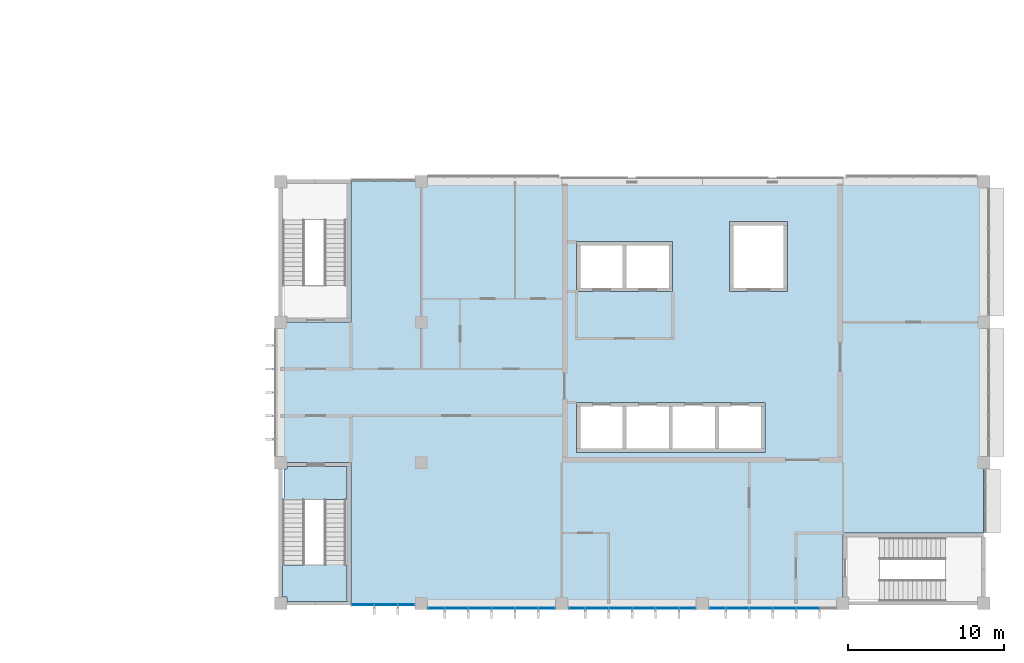
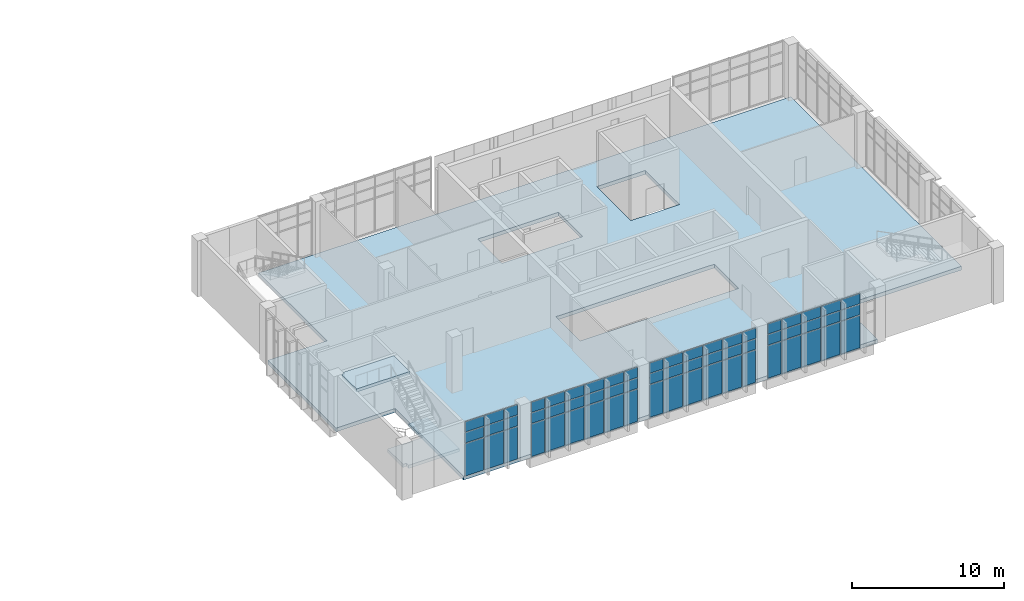
# One storey, part 27 of 43: 60 plates, 3 slabs, 5 elements without a shape of their own.
"""IFC4 building model written with IfcOpenShell, lengths in metres."""

from ifc_helpers import new_model, si_unit, direction, frame, origin, origin_2d, place, context, subcontext, project, spatial, polyline, rectangle, outline, extrude, material, layer, layer_set, type_object, element, aggregate, save


model = new_model("IFC4")

# Units and contexts
model_context = context("Model", 3, precision=1e-05, world=origin(), true_north=direction((0.0, 1.0)))
body_context = subcontext(model_context, "Body", "Model", "MODEL_VIEW")
ifc_project = project(units=[si_unit("LENGTHUNIT", "METRE"), si_unit("AREAUNIT", "SQUARE_METRE"), si_unit("VOLUMEUNIT", "CUBIC_METRE"), si_unit("PLANEANGLEUNIT", "RADIAN"), si_unit("MASSUNIT", "GRAM", prefix="KILO")], contexts=[model_context])

# Site, building, storey
site_placement = place(None, origin())
site = spatial("IfcSite", under=ifc_project, at=site_placement, CompositionType="ELEMENT")
building_placement = place(site_placement, origin())
building = spatial("IfcBuilding", under=site, at=building_placement, Name="Guidao Yard Department Store", CompositionType="ELEMENT")
storey_placement = place(building_placement, frame((0.0, 0.0, 28.5)))
storey = spatial("IfcBuildingStorey", under=building, at=storey_placement, Name="L06", CompositionType="ELEMENT", Elevation=28.5)

# Slab
ifc_material_1 = material(Name="Concrete C35", Category="concrete")
ifc_layer_1 = layer(ifc_material_1, 0.300048828125)
ifc_layer_set_1 = layer_set([ifc_layer_1], Name="Flat slab 300 C35")
slab_type_1 = type_object("IfcSlabType", Name="Flat slab 300 C35", PredefinedType="FLOOR", material=ifc_layer_set_1)
slab_1_placement = place(storey_placement, frame((0.0, 0.0, -0.300048828125)))
element("IfcSlab", 1, at=slab_1_placement, inside=storey, type_object=slab_type_1, Name="Slab L06-O", PredefinedType="FLOOR", context=body_context, shape_type="SweptSolid", body=[
    extrude(outline(polyline([(171.0, 4.5), (162.0, 4.5), (162.0, 0.0), (130.5, 0.0), (130.5, 9.0), (126.0, 9.0), (126.0, 18.0), (130.5, 18.0), (130.5, 27.0), (171.0, 27.0), (171.0, 4.5)]), holes=[polyline([(148.14990234375, 9.64990234375), (150.85009765625, 9.64990234375), (151.10009765625, 9.64990234375), (153.800048828125, 9.64990234375), (154.050048828125, 9.64990234375), (157.0, 9.64990234375), (157.0, 12.85009765625), (154.050048828125, 12.85009765625), (153.800048828125, 12.85009765625), (151.10009765625, 12.85009765625), (150.85009765625, 12.85009765625), (148.14990234375, 12.85009765625), (147.89990234375, 12.85009765625), (144.949951171875, 12.85009765625), (144.949951171875, 9.64990234375), (147.89990234375, 9.64990234375), (148.14990234375, 9.64990234375)]), polyline([(147.89990234375, 19.949951171875), (148.14990234375, 19.949951171875), (151.10009765625, 19.949951171875), (151.10009765625, 23.14990234375), (148.14990234375, 23.14990234375), (147.89990234375, 23.14990234375), (144.949951171875, 23.14990234375), (144.949951171875, 19.949951171875), (147.89990234375, 19.949951171875)]), polyline([(158.449951171875, 19.949951171875), (158.449951171875, 24.449951171875), (154.75, 24.449951171875), (154.75, 19.949951171875), (158.449951171875, 19.949951171875)])]), origin(), (0.0, 0.0, 1.0), 0.300048828125),
])

# Curtain wall, plates
ifc_material_2 = material(Name="Aluminium and glass", Category="aluminium")
ifc_layer_2 = layer(ifc_material_2, 0.159912109375)
ifc_layer_set_2 = layer_set([ifc_layer_2], Name="Unitised curtain wall CW4 1500 module")
curtain_wall_type = type_object("IfcCurtainWallType", Name="Unitised curtain wall CW4 1500 module", PredefinedType="NOTDEFINED", material=ifc_layer_set_2)
curtain_wall_1_placement = place(storey_placement, origin())
curtain_wall_1 = element("IfcCurtainWall", 2, at=curtain_wall_1_placement, inside=storey, type_object=curtain_wall_type, Name="Unitised curtain wall", PredefinedType="NOTDEFINED")
ifc_material_3 = material(Name="Aluminium 6063-T5 faced insulated spandrel", Category="aluminium")
ifc_layer_3 = layer(ifc_material_3, 0.06005859375)
ifc_layer_set_3 = layer_set([ifc_layer_3], Name="Spandrel panel SP1 insulated opaque")
plate_type_1 = type_object("IfcPlateType", Name="Spandrel panel SP1 insulated opaque", PredefinedType="CURTAIN_PANEL", material=ifc_layer_set_3)
plate_1_placement = place(storey_placement, frame((131.264892578125, -0.10009765625, 3.6298828125), z_axis=(0.0, 0.0, 1.0), x_axis=(-1.0, 0.0, 0.0)))
plate_1 = element("IfcPlate", 3, at=plate_1_placement, type_object=plate_type_1, Name="CW-OW-L06-01 panel 1.3", PredefinedType="CURTAIN_PANEL", context=body_context, shape_type="SweptSolid", body=[
    extrude(rectangle(XDim=1.409912109375, YDim=0.06005859375, at=origin_2d()), origin(), (0.0, 0.0, 1.0), 0.81005859375),
])
plate_2_placement = place(storey_placement, frame((132.75, -0.10009765625, 3.6298828125), z_axis=(0.0, 0.0, 1.0), x_axis=(-1.0, 0.0, 0.0)))
plate_2 = element("IfcPlate", 4, at=plate_2_placement, type_object=plate_type_1, Name="CW-OW-L06-01 panel 2.3", PredefinedType="CURTAIN_PANEL", context=body_context, shape_type="SweptSolid", body=[
    extrude(rectangle(XDim=1.43994140625, YDim=0.06005859375, at=origin_2d()), origin(), (0.0, 0.0, 1.0), 0.81005859375),
])
plate_3_placement = place(storey_placement, frame((134.034912109375, -0.10009765625, 3.6298828125), z_axis=(0.0, 0.0, 1.0), x_axis=(-1.0, 0.0, 0.0)))
plate_3 = element("IfcPlate", 5, at=plate_3_placement, type_object=plate_type_1, Name="CW-OW-L06-01 panel 3.3", PredefinedType="CURTAIN_PANEL", context=body_context, shape_type="SweptSolid", body=[
    extrude(rectangle(XDim=1.010009765625, YDim=0.06005859375, at=origin_2d()), origin(), (0.0, 0.0, 1.0), 0.81005859375),
])

curtain_wall_2_placement = place(storey_placement, origin())
curtain_wall_2 = element("IfcCurtainWall", 6, at=curtain_wall_2_placement, inside=storey, type_object=curtain_wall_type, Name="Unitised curtain wall", PredefinedType="NOTDEFINED")
plate_4_placement = place(storey_placement, frame((135.965087890625, -0.330078125, 3.6298828125), z_axis=(0.0, 0.0, 1.0), x_axis=(-1.0, 0.0, 0.0)))
plate_4 = element("IfcPlate", 7, at=plate_4_placement, type_object=plate_type_1, Name="CW-OW-L06-02 panel 1.3", PredefinedType="CURTAIN_PANEL", context=body_context, shape_type="SweptSolid", body=[
    extrude(rectangle(XDim=1.010009765625, YDim=0.06005859375, at=origin_2d()), origin(), (0.0, 0.0, 1.0), 0.81005859375),
])
plate_5_placement = place(storey_placement, frame((137.25, -0.330078125, 3.6298828125), z_axis=(0.0, 0.0, 1.0), x_axis=(-1.0, 0.0, 0.0)))
plate_5 = element("IfcPlate", 8, at=plate_5_placement, type_object=plate_type_1, Name="CW-OW-L06-02 panel 2.3", PredefinedType="CURTAIN_PANEL", context=body_context, shape_type="SweptSolid", body=[
    extrude(rectangle(XDim=1.43994140625, YDim=0.06005859375, at=origin_2d()), origin(), (0.0, 0.0, 1.0), 0.81005859375),
])
plate_6_placement = place(storey_placement, frame((138.75, -0.330078125, 3.6298828125), z_axis=(0.0, 0.0, 1.0), x_axis=(-1.0, 0.0, 0.0)))
plate_6 = element("IfcPlate", 9, at=plate_6_placement, type_object=plate_type_1, Name="CW-OW-L06-02 panel 3.3", PredefinedType="CURTAIN_PANEL", context=body_context, shape_type="SweptSolid", body=[
    extrude(rectangle(XDim=1.43994140625, YDim=0.06005859375, at=origin_2d()), origin(), (0.0, 0.0, 1.0), 0.81005859375),
])
plate_7_placement = place(storey_placement, frame((140.25, -0.330078125, 3.6298828125), z_axis=(0.0, 0.0, 1.0), x_axis=(-1.0, 0.0, 0.0)))
plate_7 = element("IfcPlate", 10, at=plate_7_placement, type_object=plate_type_1, Name="CW-OW-L06-02 panel 4.3", PredefinedType="CURTAIN_PANEL", context=body_context, shape_type="SweptSolid", body=[
    extrude(rectangle(XDim=1.43994140625, YDim=0.06005859375, at=origin_2d()), origin(), (0.0, 0.0, 1.0), 0.81005859375),
])
plate_8_placement = place(storey_placement, frame((141.75, -0.330078125, 3.6298828125), z_axis=(0.0, 0.0, 1.0), x_axis=(-1.0, 0.0, 0.0)))
plate_8 = element("IfcPlate", 11, at=plate_8_placement, type_object=plate_type_1, Name="CW-OW-L06-02 panel 5.3", PredefinedType="CURTAIN_PANEL", context=body_context, shape_type="SweptSolid", body=[
    extrude(rectangle(XDim=1.43994140625, YDim=0.06005859375, at=origin_2d()), origin(), (0.0, 0.0, 1.0), 0.81005859375),
])
plate_9_placement = place(storey_placement, frame((143.034912109375, -0.330078125, 3.6298828125), z_axis=(0.0, 0.0, 1.0), x_axis=(-1.0, 0.0, 0.0)))
plate_9 = element("IfcPlate", 12, at=plate_9_placement, type_object=plate_type_1, Name="CW-OW-L06-02 panel 6.3", PredefinedType="CURTAIN_PANEL", context=body_context, shape_type="SweptSolid", body=[
    extrude(rectangle(XDim=1.010009765625, YDim=0.06005859375, at=origin_2d()), origin(), (0.0, 0.0, 1.0), 0.81005859375),
])

curtain_wall_3_placement = place(storey_placement, origin())
curtain_wall_3 = element("IfcCurtainWall", 13, at=curtain_wall_3_placement, inside=storey, type_object=curtain_wall_type, Name="Unitised curtain wall", PredefinedType="NOTDEFINED")
plate_10_placement = place(storey_placement, frame((144.965087890625, -0.330078125, 3.6298828125), z_axis=(0.0, 0.0, 1.0), x_axis=(-1.0, 0.0, 0.0)))
plate_10 = element("IfcPlate", 14, at=plate_10_placement, type_object=plate_type_1, Name="CW-OW-L06-03 panel 1.3", PredefinedType="CURTAIN_PANEL", context=body_context, shape_type="SweptSolid", body=[
    extrude(rectangle(XDim=1.010009765625, YDim=0.06005859375, at=origin_2d()), origin(), (0.0, 0.0, 1.0), 0.81005859375),
])
plate_11_placement = place(storey_placement, frame((146.25, -0.330078125, 3.6298828125), z_axis=(0.0, 0.0, 1.0), x_axis=(-1.0, 0.0, 0.0)))
plate_11 = element("IfcPlate", 15, at=plate_11_placement, type_object=plate_type_1, Name="CW-OW-L06-03 panel 2.3", PredefinedType="CURTAIN_PANEL", context=body_context, shape_type="SweptSolid", body=[
    extrude(rectangle(XDim=1.43994140625, YDim=0.06005859375, at=origin_2d()), origin(), (0.0, 0.0, 1.0), 0.81005859375),
])
plate_12_placement = place(storey_placement, frame((147.75, -0.330078125, 3.6298828125), z_axis=(0.0, 0.0, 1.0), x_axis=(-1.0, 0.0, 0.0)))
plate_12 = element("IfcPlate", 16, at=plate_12_placement, type_object=plate_type_1, Name="CW-OW-L06-03 panel 3.3", PredefinedType="CURTAIN_PANEL", context=body_context, shape_type="SweptSolid", body=[
    extrude(rectangle(XDim=1.43994140625, YDim=0.06005859375, at=origin_2d()), origin(), (0.0, 0.0, 1.0), 0.81005859375),
])
plate_13_placement = place(storey_placement, frame((149.25, -0.330078125, 3.6298828125), z_axis=(0.0, 0.0, 1.0), x_axis=(-1.0, 0.0, 0.0)))
plate_13 = element("IfcPlate", 17, at=plate_13_placement, type_object=plate_type_1, Name="CW-OW-L06-03 panel 4.3", PredefinedType="CURTAIN_PANEL", context=body_context, shape_type="SweptSolid", body=[
    extrude(rectangle(XDim=1.43994140625, YDim=0.06005859375, at=origin_2d()), origin(), (0.0, 0.0, 1.0), 0.81005859375),
])
plate_14_placement = place(storey_placement, frame((150.75, -0.330078125, 3.6298828125), z_axis=(0.0, 0.0, 1.0), x_axis=(-1.0, 0.0, 0.0)))
plate_14 = element("IfcPlate", 18, at=plate_14_placement, type_object=plate_type_1, Name="CW-OW-L06-03 panel 5.3", PredefinedType="CURTAIN_PANEL", context=body_context, shape_type="SweptSolid", body=[
    extrude(rectangle(XDim=1.43994140625, YDim=0.06005859375, at=origin_2d()), origin(), (0.0, 0.0, 1.0), 0.81005859375),
])
plate_15_placement = place(storey_placement, frame((152.034912109375, -0.330078125, 3.6298828125), z_axis=(0.0, 0.0, 1.0), x_axis=(-1.0, 0.0, 0.0)))
plate_15 = element("IfcPlate", 19, at=plate_15_placement, type_object=plate_type_1, Name="CW-OW-L06-03 panel 6.3", PredefinedType="CURTAIN_PANEL", context=body_context, shape_type="SweptSolid", body=[
    extrude(rectangle(XDim=1.010009765625, YDim=0.06005859375, at=origin_2d()), origin(), (0.0, 0.0, 1.0), 0.81005859375),
])

curtain_wall_4_placement = place(storey_placement, origin())
curtain_wall_4 = element("IfcCurtainWall", 20, at=curtain_wall_4_placement, inside=storey, type_object=curtain_wall_type, Name="Unitised curtain wall", PredefinedType="NOTDEFINED")
plate_16_placement = place(storey_placement, frame((153.965087890625, -0.330078125, 3.6298828125), z_axis=(0.0, 0.0, 1.0), x_axis=(-1.0, 0.0, 0.0)))
plate_16 = element("IfcPlate", 21, at=plate_16_placement, type_object=plate_type_1, Name="CW-OW-L06-04 panel 1.3", PredefinedType="CURTAIN_PANEL", context=body_context, shape_type="SweptSolid", body=[
    extrude(rectangle(XDim=1.010009765625, YDim=0.06005859375, at=origin_2d()), origin(), (0.0, 0.0, 1.0), 0.81005859375),
])
plate_17_placement = place(storey_placement, frame((155.25, -0.330078125, 3.6298828125), z_axis=(0.0, 0.0, 1.0), x_axis=(-1.0, 0.0, 0.0)))
plate_17 = element("IfcPlate", 22, at=plate_17_placement, type_object=plate_type_1, Name="CW-OW-L06-04 panel 2.3", PredefinedType="CURTAIN_PANEL", context=body_context, shape_type="SweptSolid", body=[
    extrude(rectangle(XDim=1.43994140625, YDim=0.06005859375, at=origin_2d()), origin(), (0.0, 0.0, 1.0), 0.81005859375),
])
plate_18_placement = place(storey_placement, frame((156.75, -0.330078125, 3.6298828125), z_axis=(0.0, 0.0, 1.0), x_axis=(-1.0, 0.0, 0.0)))
plate_18 = element("IfcPlate", 23, at=plate_18_placement, type_object=plate_type_1, Name="CW-OW-L06-04 panel 3.3", PredefinedType="CURTAIN_PANEL", context=body_context, shape_type="SweptSolid", body=[
    extrude(rectangle(XDim=1.43994140625, YDim=0.06005859375, at=origin_2d()), origin(), (0.0, 0.0, 1.0), 0.81005859375),
])
plate_19_placement = place(storey_placement, frame((158.25, -0.330078125, 3.6298828125), z_axis=(0.0, 0.0, 1.0), x_axis=(-1.0, 0.0, 0.0)))
plate_19 = element("IfcPlate", 24, at=plate_19_placement, type_object=plate_type_1, Name="CW-OW-L06-04 panel 4.3", PredefinedType="CURTAIN_PANEL", context=body_context, shape_type="SweptSolid", body=[
    extrude(rectangle(XDim=1.43994140625, YDim=0.06005859375, at=origin_2d()), origin(), (0.0, 0.0, 1.0), 0.81005859375),
])
plate_20_placement = place(storey_placement, frame((159.75, -0.330078125, 3.6298828125), z_axis=(0.0, 0.0, 1.0), x_axis=(-1.0, 0.0, 0.0)))
plate_20 = element("IfcPlate", 25, at=plate_20_placement, type_object=plate_type_1, Name="CW-OW-L06-04 panel 5.3", PredefinedType="CURTAIN_PANEL", context=body_context, shape_type="SweptSolid", body=[
    extrude(rectangle(XDim=1.43994140625, YDim=0.06005859375, at=origin_2d()), origin(), (0.0, 0.0, 1.0), 0.81005859375),
])

# Stair, slabs
ifc_material_4 = material(Name="Concrete C35", Category="concrete")
stair_type = type_object("IfcStairType", Name="Stair half-turn two-flight 1400 wide 4.5 m rise", PredefinedType="HALF_TURN_STAIR", material=ifc_material_4)
stair_placement = place(storey_placement, origin())
stair = element("IfcStair", 26, at=stair_placement, inside=storey, type_object=stair_type, Name="Stair O1 L06 to L07", PredefinedType="HALF_TURN_STAIR")
ifc_material_5 = material(Name="Concrete C35", Category="concrete")
ifc_layer_4 = layer(ifc_material_5, 0.25)
ifc_layer_set_4 = layer_set([ifc_layer_4], Name="Stair landing RC 250 C35")
slab_type_2 = type_object("IfcSlabType", Name="Stair landing RC 250 C35", PredefinedType="LANDING", material=ifc_layer_set_4)
slab_2_placement = place(storey_placement, frame((0.0, 0.0, 2.0)))
slab_2 = element("IfcSlab", 27, at=slab_2_placement, type_object=slab_type_2, Name="SO1-L06 landing 1", PredefinedType="LANDING", context=body_context, shape_type="SweptSolid", body=[
    extrude(outline(polyline([(126.39990234375, 0.125), (126.39990234375, 0.39990234375), (126.125, 0.39990234375), (126.125, 2.449951171875), (126.125, 2.4599609375), (127.52490234375, 2.4599609375), (127.52490234375, 2.449951171875), (128.800048828125, 2.449951171875), (128.800048828125, 4.280029296875), (130.199951171875, 4.280029296875), (130.199951171875, 2.449951171875), (130.25, 2.449951171875), (130.25, 0.125), (126.39990234375, 0.125)])), origin(), (0.0, 0.0, 1.0), 0.25),
])
slab_3_placement = place(storey_placement, frame((0.0, 0.0, 4.25)))
slab_3 = element("IfcSlab", 28, at=slab_3_placement, type_object=slab_type_2, Name="SO1-L06 landing 2", PredefinedType="LANDING", context=body_context, shape_type="SweptSolid", body=[
    extrude(outline(polyline([(128.800048828125, 6.639892578125), (128.800048828125, 6.64990234375), (126.199951171875, 6.64990234375), (126.199951171875, 8.60009765625), (126.39990234375, 8.60009765625), (126.39990234375, 8.75), (128.800048828125, 8.75), (130.25, 8.75), (130.25, 6.639892578125), (128.800048828125, 6.639892578125)])), origin(), (0.0, 0.0, 1.0), 0.25),
])
aggregate(stair, [slab_2, slab_3])

# Plate
ifc_material_6 = material(Name="Laminated heat-soaked tempered glass", Category="glass")
ifc_layer_5 = layer(ifc_material_6, 0.017578125)
ifc_layer_set_5 = layer_set([ifc_layer_5], Name="Vision glass VG1 laminated heat-soaked tempered 8+8")
plate_type_2 = type_object("IfcPlateType", Name="Vision glass VG1 laminated heat-soaked tempered 8+8", PredefinedType="CURTAIN_PANEL", material=ifc_layer_set_5)
plate_21_placement = place(storey_placement, frame((131.264892578125, -0.10009765625, 0.06005859375), z_axis=(0.0, 0.0, 1.0), x_axis=(-1.0, 0.0, 0.0)))
plate_21 = element("IfcPlate", 29, at=plate_21_placement, type_object=plate_type_2, Name="CW-OW-L06-01 panel 1.1", PredefinedType="CURTAIN_PANEL", context=body_context, shape_type="SweptSolid", body=[
    extrude(rectangle(XDim=1.409912109375, YDim=0.017578125, at=origin_2d()), origin(), (0.0, 0.0, 1.0), 2.610107421875),
])

plate_22_placement = place(storey_placement, frame((131.264892578125, -0.10009765625, 2.72998046875), z_axis=(0.0, 0.0, 1.0), x_axis=(-1.0, 0.0, 0.0)))
plate_22 = element("IfcPlate", 30, at=plate_22_placement, type_object=plate_type_2, Name="CW-OW-L06-01 panel 1.2", PredefinedType="CURTAIN_PANEL", context=body_context, shape_type="SweptSolid", body=[
    extrude(rectangle(XDim=1.409912109375, YDim=0.017578125, at=origin_2d()), origin(), (0.0, 0.0, 1.0), 0.840087890625),
])

plate_23_placement = place(storey_placement, frame((132.75, -0.10009765625, 0.06005859375), z_axis=(0.0, 0.0, 1.0), x_axis=(-1.0, 0.0, 0.0)))
plate_23 = element("IfcPlate", 31, at=plate_23_placement, type_object=plate_type_2, Name="CW-OW-L06-01 panel 2.1", PredefinedType="CURTAIN_PANEL", context=body_context, shape_type="SweptSolid", body=[
    extrude(rectangle(XDim=1.43994140625, YDim=0.017578125, at=origin_2d()), origin(), (0.0, 0.0, 1.0), 2.610107421875),
])

plate_24_placement = place(storey_placement, frame((132.75, -0.10009765625, 2.72998046875), z_axis=(0.0, 0.0, 1.0), x_axis=(-1.0, 0.0, 0.0)))
plate_24 = element("IfcPlate", 32, at=plate_24_placement, type_object=plate_type_2, Name="CW-OW-L06-01 panel 2.2", PredefinedType="CURTAIN_PANEL", context=body_context, shape_type="SweptSolid", body=[
    extrude(rectangle(XDim=1.43994140625, YDim=0.017578125, at=origin_2d()), origin(), (0.0, 0.0, 1.0), 0.840087890625),
])

plate_25_placement = place(storey_placement, frame((134.034912109375, -0.10009765625, 0.06005859375), z_axis=(0.0, 0.0, 1.0), x_axis=(-1.0, 0.0, 0.0)))
plate_25 = element("IfcPlate", 33, at=plate_25_placement, type_object=plate_type_2, Name="CW-OW-L06-01 panel 3.1", PredefinedType="CURTAIN_PANEL", context=body_context, shape_type="SweptSolid", body=[
    extrude(rectangle(XDim=1.010009765625, YDim=0.017578125, at=origin_2d()), origin(), (0.0, 0.0, 1.0), 2.610107421875),
])

plate_26_placement = place(storey_placement, frame((134.034912109375, -0.10009765625, 2.72998046875), z_axis=(0.0, 0.0, 1.0), x_axis=(-1.0, 0.0, 0.0)))
plate_26 = element("IfcPlate", 34, at=plate_26_placement, type_object=plate_type_2, Name="CW-OW-L06-01 panel 3.2", PredefinedType="CURTAIN_PANEL", context=body_context, shape_type="SweptSolid", body=[
    extrude(rectangle(XDim=1.010009765625, YDim=0.017578125, at=origin_2d()), origin(), (0.0, 0.0, 1.0), 0.840087890625),
])

aggregate(curtain_wall_1, [plate_21, plate_22, plate_1, plate_23, plate_24, plate_2, plate_25, plate_26, plate_3])

plate_27_placement = place(storey_placement, frame((135.965087890625, -0.330078125, 0.06005859375), z_axis=(0.0, 0.0, 1.0), x_axis=(-1.0, 0.0, 0.0)))
plate_27 = element("IfcPlate", 35, at=plate_27_placement, type_object=plate_type_2, Name="CW-OW-L06-02 panel 1.1", PredefinedType="CURTAIN_PANEL", context=body_context, shape_type="SweptSolid", body=[
    extrude(rectangle(XDim=1.010009765625, YDim=0.017578125, at=origin_2d()), origin(), (0.0, 0.0, 1.0), 2.610107421875),
])

plate_28_placement = place(storey_placement, frame((135.965087890625, -0.330078125, 2.72998046875), z_axis=(0.0, 0.0, 1.0), x_axis=(-1.0, 0.0, 0.0)))
plate_28 = element("IfcPlate", 36, at=plate_28_placement, type_object=plate_type_2, Name="CW-OW-L06-02 panel 1.2", PredefinedType="CURTAIN_PANEL", context=body_context, shape_type="SweptSolid", body=[
    extrude(rectangle(XDim=1.010009765625, YDim=0.017578125, at=origin_2d()), origin(), (0.0, 0.0, 1.0), 0.840087890625),
])

plate_29_placement = place(storey_placement, frame((137.25, -0.330078125, 0.06005859375), z_axis=(0.0, 0.0, 1.0), x_axis=(-1.0, 0.0, 0.0)))
plate_29 = element("IfcPlate", 37, at=plate_29_placement, type_object=plate_type_2, Name="CW-OW-L06-02 panel 2.1", PredefinedType="CURTAIN_PANEL", context=body_context, shape_type="SweptSolid", body=[
    extrude(rectangle(XDim=1.43994140625, YDim=0.017578125, at=origin_2d()), origin(), (0.0, 0.0, 1.0), 2.610107421875),
])

plate_30_placement = place(storey_placement, frame((137.25, -0.330078125, 2.72998046875), z_axis=(0.0, 0.0, 1.0), x_axis=(-1.0, 0.0, 0.0)))
plate_30 = element("IfcPlate", 38, at=plate_30_placement, type_object=plate_type_2, Name="CW-OW-L06-02 panel 2.2", PredefinedType="CURTAIN_PANEL", context=body_context, shape_type="SweptSolid", body=[
    extrude(rectangle(XDim=1.43994140625, YDim=0.017578125, at=origin_2d()), origin(), (0.0, 0.0, 1.0), 0.840087890625),
])

plate_31_placement = place(storey_placement, frame((138.75, -0.330078125, 0.06005859375), z_axis=(0.0, 0.0, 1.0), x_axis=(-1.0, 0.0, 0.0)))
plate_31 = element("IfcPlate", 39, at=plate_31_placement, type_object=plate_type_2, Name="CW-OW-L06-02 panel 3.1", PredefinedType="CURTAIN_PANEL", context=body_context, shape_type="SweptSolid", body=[
    extrude(rectangle(XDim=1.43994140625, YDim=0.017578125, at=origin_2d()), origin(), (0.0, 0.0, 1.0), 2.610107421875),
])

plate_32_placement = place(storey_placement, frame((138.75, -0.330078125, 2.72998046875), z_axis=(0.0, 0.0, 1.0), x_axis=(-1.0, 0.0, 0.0)))
plate_32 = element("IfcPlate", 40, at=plate_32_placement, type_object=plate_type_2, Name="CW-OW-L06-02 panel 3.2", PredefinedType="CURTAIN_PANEL", context=body_context, shape_type="SweptSolid", body=[
    extrude(rectangle(XDim=1.43994140625, YDim=0.017578125, at=origin_2d()), origin(), (0.0, 0.0, 1.0), 0.840087890625),
])

plate_33_placement = place(storey_placement, frame((140.25, -0.330078125, 0.06005859375), z_axis=(0.0, 0.0, 1.0), x_axis=(-1.0, 0.0, 0.0)))
plate_33 = element("IfcPlate", 41, at=plate_33_placement, type_object=plate_type_2, Name="CW-OW-L06-02 panel 4.1", PredefinedType="CURTAIN_PANEL", context=body_context, shape_type="SweptSolid", body=[
    extrude(rectangle(XDim=1.43994140625, YDim=0.017578125, at=origin_2d()), origin(), (0.0, 0.0, 1.0), 2.610107421875),
])

plate_34_placement = place(storey_placement, frame((140.25, -0.330078125, 2.72998046875), z_axis=(0.0, 0.0, 1.0), x_axis=(-1.0, 0.0, 0.0)))
plate_34 = element("IfcPlate", 42, at=plate_34_placement, type_object=plate_type_2, Name="CW-OW-L06-02 panel 4.2", PredefinedType="CURTAIN_PANEL", context=body_context, shape_type="SweptSolid", body=[
    extrude(rectangle(XDim=1.43994140625, YDim=0.017578125, at=origin_2d()), origin(), (0.0, 0.0, 1.0), 0.840087890625),
])

plate_35_placement = place(storey_placement, frame((141.75, -0.330078125, 0.06005859375), z_axis=(0.0, 0.0, 1.0), x_axis=(-1.0, 0.0, 0.0)))
plate_35 = element("IfcPlate", 43, at=plate_35_placement, type_object=plate_type_2, Name="CW-OW-L06-02 panel 5.1", PredefinedType="CURTAIN_PANEL", context=body_context, shape_type="SweptSolid", body=[
    extrude(rectangle(XDim=1.43994140625, YDim=0.017578125, at=origin_2d()), origin(), (0.0, 0.0, 1.0), 2.610107421875),
])

plate_36_placement = place(storey_placement, frame((141.75, -0.330078125, 2.72998046875), z_axis=(0.0, 0.0, 1.0), x_axis=(-1.0, 0.0, 0.0)))
plate_36 = element("IfcPlate", 44, at=plate_36_placement, type_object=plate_type_2, Name="CW-OW-L06-02 panel 5.2", PredefinedType="CURTAIN_PANEL", context=body_context, shape_type="SweptSolid", body=[
    extrude(rectangle(XDim=1.43994140625, YDim=0.017578125, at=origin_2d()), origin(), (0.0, 0.0, 1.0), 0.840087890625),
])

plate_37_placement = place(storey_placement, frame((143.034912109375, -0.330078125, 0.06005859375), z_axis=(0.0, 0.0, 1.0), x_axis=(-1.0, 0.0, 0.0)))
plate_37 = element("IfcPlate", 45, at=plate_37_placement, type_object=plate_type_2, Name="CW-OW-L06-02 panel 6.1", PredefinedType="CURTAIN_PANEL", context=body_context, shape_type="SweptSolid", body=[
    extrude(rectangle(XDim=1.010009765625, YDim=0.017578125, at=origin_2d()), origin(), (0.0, 0.0, 1.0), 2.610107421875),
])

plate_38_placement = place(storey_placement, frame((143.034912109375, -0.330078125, 2.72998046875), z_axis=(0.0, 0.0, 1.0), x_axis=(-1.0, 0.0, 0.0)))
plate_38 = element("IfcPlate", 46, at=plate_38_placement, type_object=plate_type_2, Name="CW-OW-L06-02 panel 6.2", PredefinedType="CURTAIN_PANEL", context=body_context, shape_type="SweptSolid", body=[
    extrude(rectangle(XDim=1.010009765625, YDim=0.017578125, at=origin_2d()), origin(), (0.0, 0.0, 1.0), 0.840087890625),
])

aggregate(curtain_wall_2, [plate_27, plate_28, plate_4, plate_29, plate_30, plate_5, plate_31, plate_32, plate_6, plate_33, plate_34, plate_7, plate_35, plate_36, plate_8, plate_37, plate_38, plate_9])

plate_39_placement = place(storey_placement, frame((144.965087890625, -0.330078125, 0.06005859375), z_axis=(0.0, 0.0, 1.0), x_axis=(-1.0, 0.0, 0.0)))
plate_39 = element("IfcPlate", 47, at=plate_39_placement, type_object=plate_type_2, Name="CW-OW-L06-03 panel 1.1", PredefinedType="CURTAIN_PANEL", context=body_context, shape_type="SweptSolid", body=[
    extrude(rectangle(XDim=1.010009765625, YDim=0.017578125, at=origin_2d()), origin(), (0.0, 0.0, 1.0), 2.610107421875),
])

plate_40_placement = place(storey_placement, frame((144.965087890625, -0.330078125, 2.72998046875), z_axis=(0.0, 0.0, 1.0), x_axis=(-1.0, 0.0, 0.0)))
plate_40 = element("IfcPlate", 48, at=plate_40_placement, type_object=plate_type_2, Name="CW-OW-L06-03 panel 1.2", PredefinedType="CURTAIN_PANEL", context=body_context, shape_type="SweptSolid", body=[
    extrude(rectangle(XDim=1.010009765625, YDim=0.017578125, at=origin_2d()), origin(), (0.0, 0.0, 1.0), 0.840087890625),
])

plate_41_placement = place(storey_placement, frame((146.25, -0.330078125, 0.06005859375), z_axis=(0.0, 0.0, 1.0), x_axis=(-1.0, 0.0, 0.0)))
plate_41 = element("IfcPlate", 49, at=plate_41_placement, type_object=plate_type_2, Name="CW-OW-L06-03 panel 2.1", PredefinedType="CURTAIN_PANEL", context=body_context, shape_type="SweptSolid", body=[
    extrude(rectangle(XDim=1.43994140625, YDim=0.017578125, at=origin_2d()), origin(), (0.0, 0.0, 1.0), 2.610107421875),
])

plate_42_placement = place(storey_placement, frame((146.25, -0.330078125, 2.72998046875), z_axis=(0.0, 0.0, 1.0), x_axis=(-1.0, 0.0, 0.0)))
plate_42 = element("IfcPlate", 50, at=plate_42_placement, type_object=plate_type_2, Name="CW-OW-L06-03 panel 2.2", PredefinedType="CURTAIN_PANEL", context=body_context, shape_type="SweptSolid", body=[
    extrude(rectangle(XDim=1.43994140625, YDim=0.017578125, at=origin_2d()), origin(), (0.0, 0.0, 1.0), 0.840087890625),
])

plate_43_placement = place(storey_placement, frame((147.75, -0.330078125, 0.06005859375), z_axis=(0.0, 0.0, 1.0), x_axis=(-1.0, 0.0, 0.0)))
plate_43 = element("IfcPlate", 51, at=plate_43_placement, type_object=plate_type_2, Name="CW-OW-L06-03 panel 3.1", PredefinedType="CURTAIN_PANEL", context=body_context, shape_type="SweptSolid", body=[
    extrude(rectangle(XDim=1.43994140625, YDim=0.017578125, at=origin_2d()), origin(), (0.0, 0.0, 1.0), 2.610107421875),
])

plate_44_placement = place(storey_placement, frame((147.75, -0.330078125, 2.72998046875), z_axis=(0.0, 0.0, 1.0), x_axis=(-1.0, 0.0, 0.0)))
plate_44 = element("IfcPlate", 52, at=plate_44_placement, type_object=plate_type_2, Name="CW-OW-L06-03 panel 3.2", PredefinedType="CURTAIN_PANEL", context=body_context, shape_type="SweptSolid", body=[
    extrude(rectangle(XDim=1.43994140625, YDim=0.017578125, at=origin_2d()), origin(), (0.0, 0.0, 1.0), 0.840087890625),
])

plate_45_placement = place(storey_placement, frame((149.25, -0.330078125, 0.06005859375), z_axis=(0.0, 0.0, 1.0), x_axis=(-1.0, 0.0, 0.0)))
plate_45 = element("IfcPlate", 53, at=plate_45_placement, type_object=plate_type_2, Name="CW-OW-L06-03 panel 4.1", PredefinedType="CURTAIN_PANEL", context=body_context, shape_type="SweptSolid", body=[
    extrude(rectangle(XDim=1.43994140625, YDim=0.017578125, at=origin_2d()), origin(), (0.0, 0.0, 1.0), 2.610107421875),
])

plate_46_placement = place(storey_placement, frame((149.25, -0.330078125, 2.72998046875), z_axis=(0.0, 0.0, 1.0), x_axis=(-1.0, 0.0, 0.0)))
plate_46 = element("IfcPlate", 54, at=plate_46_placement, type_object=plate_type_2, Name="CW-OW-L06-03 panel 4.2", PredefinedType="CURTAIN_PANEL", context=body_context, shape_type="SweptSolid", body=[
    extrude(rectangle(XDim=1.43994140625, YDim=0.017578125, at=origin_2d()), origin(), (0.0, 0.0, 1.0), 0.840087890625),
])

plate_47_placement = place(storey_placement, frame((150.75, -0.330078125, 0.06005859375), z_axis=(0.0, 0.0, 1.0), x_axis=(-1.0, 0.0, 0.0)))
plate_47 = element("IfcPlate", 55, at=plate_47_placement, type_object=plate_type_2, Name="CW-OW-L06-03 panel 5.1", PredefinedType="CURTAIN_PANEL", context=body_context, shape_type="SweptSolid", body=[
    extrude(rectangle(XDim=1.43994140625, YDim=0.017578125, at=origin_2d()), origin(), (0.0, 0.0, 1.0), 2.610107421875),
])

plate_48_placement = place(storey_placement, frame((150.75, -0.330078125, 2.72998046875), z_axis=(0.0, 0.0, 1.0), x_axis=(-1.0, 0.0, 0.0)))
plate_48 = element("IfcPlate", 56, at=plate_48_placement, type_object=plate_type_2, Name="CW-OW-L06-03 panel 5.2", PredefinedType="CURTAIN_PANEL", context=body_context, shape_type="SweptSolid", body=[
    extrude(rectangle(XDim=1.43994140625, YDim=0.017578125, at=origin_2d()), origin(), (0.0, 0.0, 1.0), 0.840087890625),
])

plate_49_placement = place(storey_placement, frame((152.034912109375, -0.330078125, 0.06005859375), z_axis=(0.0, 0.0, 1.0), x_axis=(-1.0, 0.0, 0.0)))
plate_49 = element("IfcPlate", 57, at=plate_49_placement, type_object=plate_type_2, Name="CW-OW-L06-03 panel 6.1", PredefinedType="CURTAIN_PANEL", context=body_context, shape_type="SweptSolid", body=[
    extrude(rectangle(XDim=1.010009765625, YDim=0.017578125, at=origin_2d()), origin(), (0.0, 0.0, 1.0), 2.610107421875),
])

plate_50_placement = place(storey_placement, frame((152.034912109375, -0.330078125, 2.72998046875), z_axis=(0.0, 0.0, 1.0), x_axis=(-1.0, 0.0, 0.0)))
plate_50 = element("IfcPlate", 58, at=plate_50_placement, type_object=plate_type_2, Name="CW-OW-L06-03 panel 6.2", PredefinedType="CURTAIN_PANEL", context=body_context, shape_type="SweptSolid", body=[
    extrude(rectangle(XDim=1.010009765625, YDim=0.017578125, at=origin_2d()), origin(), (0.0, 0.0, 1.0), 0.840087890625),
])

aggregate(curtain_wall_3, [plate_39, plate_40, plate_10, plate_41, plate_42, plate_11, plate_43, plate_44, plate_12, plate_45, plate_46, plate_13, plate_47, plate_48, plate_14, plate_49, plate_50, plate_15])

plate_51_placement = place(storey_placement, frame((153.965087890625, -0.330078125, 0.06005859375), z_axis=(0.0, 0.0, 1.0), x_axis=(-1.0, 0.0, 0.0)))
plate_51 = element("IfcPlate", 59, at=plate_51_placement, type_object=plate_type_2, Name="CW-OW-L06-04 panel 1.1", PredefinedType="CURTAIN_PANEL", context=body_context, shape_type="SweptSolid", body=[
    extrude(rectangle(XDim=1.010009765625, YDim=0.017578125, at=origin_2d()), origin(), (0.0, 0.0, 1.0), 2.610107421875),
])

plate_52_placement = place(storey_placement, frame((153.965087890625, -0.330078125, 2.72998046875), z_axis=(0.0, 0.0, 1.0), x_axis=(-1.0, 0.0, 0.0)))
plate_52 = element("IfcPlate", 60, at=plate_52_placement, type_object=plate_type_2, Name="CW-OW-L06-04 panel 1.2", PredefinedType="CURTAIN_PANEL", context=body_context, shape_type="SweptSolid", body=[
    extrude(rectangle(XDim=1.010009765625, YDim=0.017578125, at=origin_2d()), origin(), (0.0, 0.0, 1.0), 0.840087890625),
])

plate_53_placement = place(storey_placement, frame((155.25, -0.330078125, 0.06005859375), z_axis=(0.0, 0.0, 1.0), x_axis=(-1.0, 0.0, 0.0)))
plate_53 = element("IfcPlate", 61, at=plate_53_placement, type_object=plate_type_2, Name="CW-OW-L06-04 panel 2.1", PredefinedType="CURTAIN_PANEL", context=body_context, shape_type="SweptSolid", body=[
    extrude(rectangle(XDim=1.43994140625, YDim=0.017578125, at=origin_2d()), origin(), (0.0, 0.0, 1.0), 2.610107421875),
])

plate_54_placement = place(storey_placement, frame((155.25, -0.330078125, 2.72998046875), z_axis=(0.0, 0.0, 1.0), x_axis=(-1.0, 0.0, 0.0)))
plate_54 = element("IfcPlate", 62, at=plate_54_placement, type_object=plate_type_2, Name="CW-OW-L06-04 panel 2.2", PredefinedType="CURTAIN_PANEL", context=body_context, shape_type="SweptSolid", body=[
    extrude(rectangle(XDim=1.43994140625, YDim=0.017578125, at=origin_2d()), origin(), (0.0, 0.0, 1.0), 0.840087890625),
])

plate_55_placement = place(storey_placement, frame((156.75, -0.330078125, 0.06005859375), z_axis=(0.0, 0.0, 1.0), x_axis=(-1.0, 0.0, 0.0)))
plate_55 = element("IfcPlate", 63, at=plate_55_placement, type_object=plate_type_2, Name="CW-OW-L06-04 panel 3.1", PredefinedType="CURTAIN_PANEL", context=body_context, shape_type="SweptSolid", body=[
    extrude(rectangle(XDim=1.43994140625, YDim=0.017578125, at=origin_2d()), origin(), (0.0, 0.0, 1.0), 2.610107421875),
])

plate_56_placement = place(storey_placement, frame((156.75, -0.330078125, 2.72998046875), z_axis=(0.0, 0.0, 1.0), x_axis=(-1.0, 0.0, 0.0)))
plate_56 = element("IfcPlate", 64, at=plate_56_placement, type_object=plate_type_2, Name="CW-OW-L06-04 panel 3.2", PredefinedType="CURTAIN_PANEL", context=body_context, shape_type="SweptSolid", body=[
    extrude(rectangle(XDim=1.43994140625, YDim=0.017578125, at=origin_2d()), origin(), (0.0, 0.0, 1.0), 0.840087890625),
])

plate_57_placement = place(storey_placement, frame((158.25, -0.330078125, 0.06005859375), z_axis=(0.0, 0.0, 1.0), x_axis=(-1.0, 0.0, 0.0)))
plate_57 = element("IfcPlate", 65, at=plate_57_placement, type_object=plate_type_2, Name="CW-OW-L06-04 panel 4.1", PredefinedType="CURTAIN_PANEL", context=body_context, shape_type="SweptSolid", body=[
    extrude(rectangle(XDim=1.43994140625, YDim=0.017578125, at=origin_2d()), origin(), (0.0, 0.0, 1.0), 2.610107421875),
])

plate_58_placement = place(storey_placement, frame((158.25, -0.330078125, 2.72998046875), z_axis=(0.0, 0.0, 1.0), x_axis=(-1.0, 0.0, 0.0)))
plate_58 = element("IfcPlate", 66, at=plate_58_placement, type_object=plate_type_2, Name="CW-OW-L06-04 panel 4.2", PredefinedType="CURTAIN_PANEL", context=body_context, shape_type="SweptSolid", body=[
    extrude(rectangle(XDim=1.43994140625, YDim=0.017578125, at=origin_2d()), origin(), (0.0, 0.0, 1.0), 0.840087890625),
])

plate_59_placement = place(storey_placement, frame((159.75, -0.330078125, 0.06005859375), z_axis=(0.0, 0.0, 1.0), x_axis=(-1.0, 0.0, 0.0)))
plate_59 = element("IfcPlate", 67, at=plate_59_placement, type_object=plate_type_2, Name="CW-OW-L06-04 panel 5.1", PredefinedType="CURTAIN_PANEL", context=body_context, shape_type="SweptSolid", body=[
    extrude(rectangle(XDim=1.43994140625, YDim=0.017578125, at=origin_2d()), origin(), (0.0, 0.0, 1.0), 2.610107421875),
])

plate_60_placement = place(storey_placement, frame((159.75, -0.330078125, 2.72998046875), z_axis=(0.0, 0.0, 1.0), x_axis=(-1.0, 0.0, 0.0)))
plate_60 = element("IfcPlate", 68, at=plate_60_placement, type_object=plate_type_2, Name="CW-OW-L06-04 panel 5.2", PredefinedType="CURTAIN_PANEL", context=body_context, shape_type="SweptSolid", body=[
    extrude(rectangle(XDim=1.43994140625, YDim=0.017578125, at=origin_2d()), origin(), (0.0, 0.0, 1.0), 0.840087890625),
])

aggregate(curtain_wall_4, [plate_51, plate_52, plate_16, plate_53, plate_54, plate_17, plate_55, plate_56, plate_18, plate_57, plate_58, plate_19, plate_59, plate_60, plate_20])

save(model, "model.ifc")
